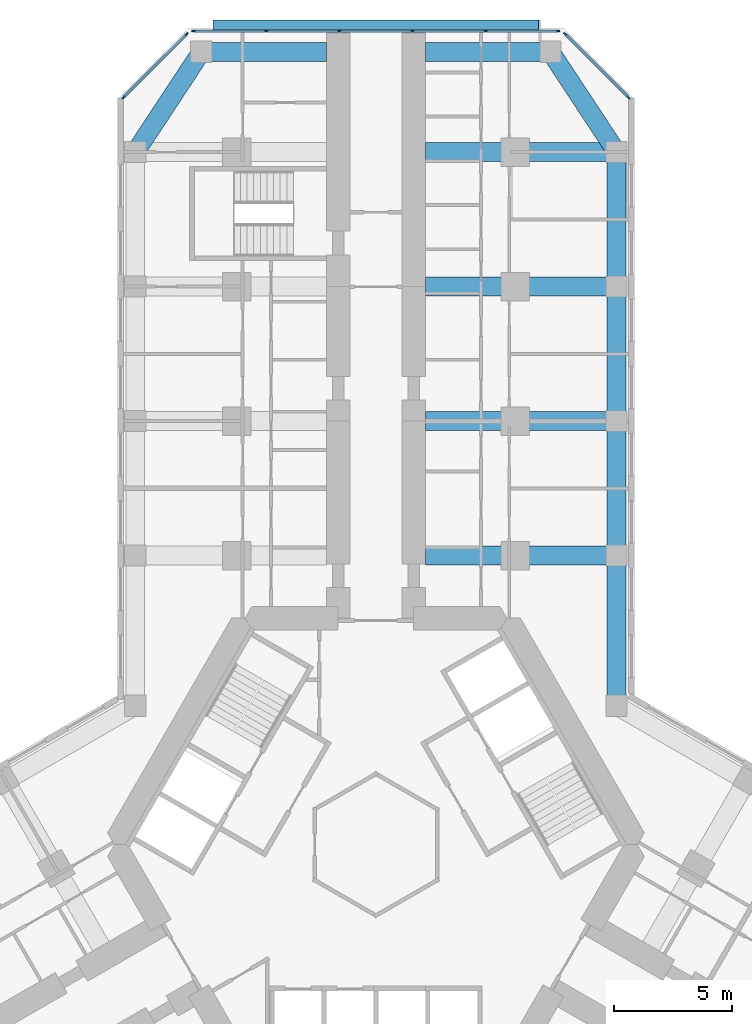
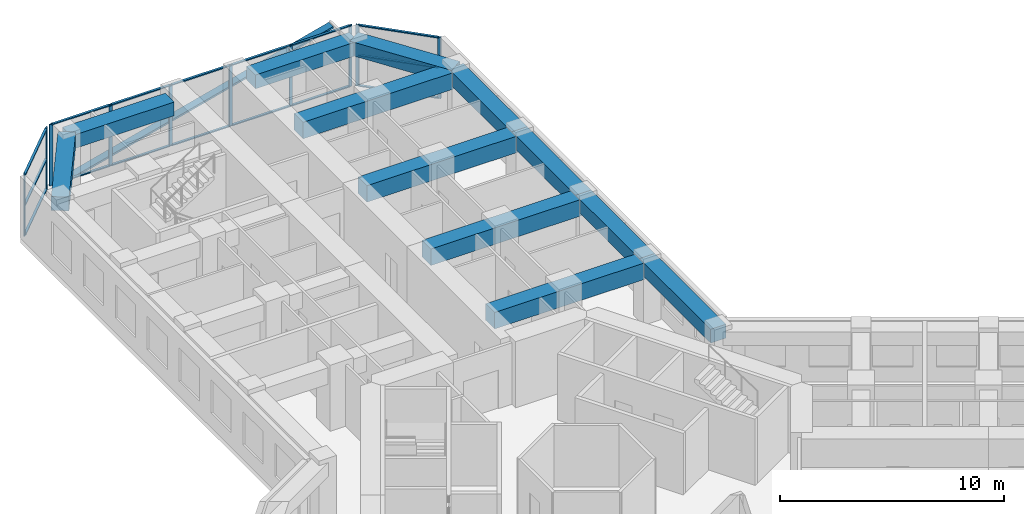
# One storey, part 7 of 22: 27 members, 12 beams, 3 elements without a shape of their own.
"""IFC4 building model written with IfcOpenShell, lengths in metres."""

from ifc_helpers import new_model, si_unit, direction, frame, origin, origin_2d, place, context, subcontext, project, spatial, rectangle, extrude, material, material_profile, profile_set, type_object, element, aggregate, save


model = new_model("IFC4")

# Units and contexts
model_context = context("Model", 3, precision=1e-05, world=origin(), true_north=direction((0.0, 1.0)))
body_context = subcontext(model_context, "Body", "Model", "MODEL_VIEW")
ifc_project = project(units=[si_unit("LENGTHUNIT", "METRE"), si_unit("AREAUNIT", "SQUARE_METRE"), si_unit("VOLUMEUNIT", "CUBIC_METRE"), si_unit("PLANEANGLEUNIT", "RADIAN"), si_unit("MASSUNIT", "GRAM", prefix="KILO")], contexts=[model_context])

# Site, building, storey
site_placement = place(None, origin())
site = spatial("IfcSite", under=ifc_project, at=site_placement, CompositionType="ELEMENT")
building_placement = place(site_placement, origin())
building = spatial("IfcBuilding", under=site, at=building_placement, Name="Kosmar Iwan School Tower", CompositionType="ELEMENT")
storey_placement = place(building_placement, frame((0.0, 0.0, 95.199951171875)))
storey = spatial("IfcBuildingStorey", under=building, at=storey_placement, Name="L23", CompositionType="ELEMENT", Elevation=95.199951171875)

# Member
ifc_material_1 = material(Name="Black anodised aluminium", Category="aluminium")
ifc_material_profile_1 = material_profile(ifc_material_1, rectangle(XDim=0.10009765625, YDim=0.39990234375, at=origin_2d()), Name="FIN 100x400")
ifc_profile_set_1 = profile_set([ifc_material_profile_1], Name="Black anodised aluminium")
member_type_1 = type_object("IfcMemberType", Name="Diagonal fin 100x400", PredefinedType="USERDEFINED", material=ifc_profile_set_1)
member_1_placement = place(storey_placement, frame((-6.898193359375, 34.75, -0.14990234375), z_axis=(0.967603633438, 0.0, 0.252474174041), x_axis=(-0.252474174041, 0.0, 0.967603633438)))
element("IfcMember", 1, at=member_1_placement, inside=storey, type_object=member_type_1, Name="Diagonal fin L23-F08", ObjectType="FIN", PredefinedType="USERDEFINED", context=body_context, shape_type="SweptSolid", body=[
    extrude(rectangle(XDim=0.10009765625, YDim=0.39990234375, at=origin_2d()), origin(), (0.0, 0.0, 1.0), 14.25830078125),
])

# Curtain wall, members
ifc_material_2 = material(Name="Dark glass in black aluminium frame", Category="aluminium")
curtain_wall_type_1 = type_object("IfcCurtainWallType", Name="Chamfer curtain wall dark glass", PredefinedType="USERDEFINED", material=ifc_material_2)
curtain_wall_1_placement = place(storey_placement, origin())
curtain_wall_1 = element("IfcCurtainWall", 2, at=curtain_wall_1_placement, inside=storey, type_object=curtain_wall_type_1, Name="Curtain wall L23-F07", ObjectType="FACETED CURTAIN WALL", PredefinedType="USERDEFINED")
ifc_material_3 = material(Name="Black anodised aluminium", Category="aluminium")
ifc_material_profile_2 = material_profile(ifc_material_3, rectangle(XDim=0.06005859375, YDim=0.159912109375, at=origin_2d()), Name="MULLION 60x160")
ifc_profile_set_2 = profile_set([ifc_material_profile_2], Name="Black anodised aluminium")
member_type_2 = type_object("IfcMemberType", Name="Mullion 60x160", PredefinedType="MULLION", material=ifc_profile_set_2)
member_2_placement = place(storey_placement, frame((10.69775390625, 31.675537109375, 0.0), z_axis=(0.0, 0.0, 1.0), x_axis=(-0.707106781187, -0.707106781187, 0.0)))
member_2 = element("IfcMember", 3, at=member_2_placement, type_object=member_type_2, Name="CW2 mullion 1", PredefinedType="MULLION", context=body_context, shape_type="SweptSolid", body=[
    extrude(rectangle(XDim=0.06005859375, YDim=0.159912109375, at=origin_2d()), origin(), (0.0, 0.0, 1.0), 3.35009765625),
])
member_3_placement = place(storey_placement, frame((8.025390625, 34.34765625, 0.0), z_axis=(0.0, 0.0, 1.0), x_axis=(-0.707106781187, -0.707106781187, 0.0)))
member_3 = element("IfcMember", 4, at=member_3_placement, type_object=member_type_2, Name="CW2 mullion 2", PredefinedType="MULLION", context=body_context, shape_type="SweptSolid", body=[
    extrude(rectangle(XDim=0.06005859375, YDim=0.159912109375, at=origin_2d()), origin(), (0.0, 0.0, 1.0), 3.35009765625),
])

ifc_material_4 = material(Name="Dark glass in black aluminium frame", Category="aluminium")
curtain_wall_type_2 = type_object("IfcCurtainWallType", Name="Tower curtain wall dark glass", PredefinedType="USERDEFINED", material=ifc_material_4)
curtain_wall_2_placement = place(storey_placement, origin())
curtain_wall_2 = element("IfcCurtainWall", 5, at=curtain_wall_2_placement, inside=storey, type_object=curtain_wall_type_2, Name="Curtain wall L23-F08", ObjectType="UNITISED CURTAIN WALL", PredefinedType="USERDEFINED")
member_4_placement = place(storey_placement, frame((7.71826171875, 34.47509765625, 0.0), z_axis=(0.0, 0.0, 1.0), x_axis=(0.0, -1.0, 0.0)))
member_4 = element("IfcMember", 6, at=member_4_placement, type_object=member_type_2, Name="CW1 mullion 1", PredefinedType="MULLION", context=body_context, shape_type="SweptSolid", body=[
    extrude(rectangle(XDim=0.06005859375, YDim=0.159912109375, at=origin_2d()), origin(), (0.0, 0.0, 1.0), 3.35009765625),
])
member_5_placement = place(storey_placement, frame((4.64892578125, 34.47509765625, 0.0), z_axis=(0.0, 0.0, 1.0), x_axis=(0.0, -1.0, 0.0)))
member_5 = element("IfcMember", 7, at=member_5_placement, type_object=member_type_2, Name="CW1 mullion 2", PredefinedType="MULLION", context=body_context, shape_type="SweptSolid", body=[
    extrude(rectangle(XDim=0.06005859375, YDim=0.159912109375, at=origin_2d()), origin(), (0.0, 0.0, 1.0), 3.35009765625),
])
member_6_placement = place(storey_placement, frame((1.549560546875, 34.47509765625, 0.0), z_axis=(0.0, 0.0, 1.0), x_axis=(0.0, -1.0, 0.0)))
member_6 = element("IfcMember", 8, at=member_6_placement, type_object=member_type_2, Name="CW1 mullion 3", PredefinedType="MULLION", context=body_context, shape_type="SweptSolid", body=[
    extrude(rectangle(XDim=0.06005859375, YDim=0.159912109375, at=origin_2d()), origin(), (0.0, 0.0, 1.0), 3.35009765625),
])
member_7_placement = place(storey_placement, frame((-1.549560546875, 34.47509765625, 0.0), z_axis=(0.0, 0.0, 1.0), x_axis=(0.0, -1.0, 0.0)))
member_7 = element("IfcMember", 9, at=member_7_placement, type_object=member_type_2, Name="CW1 mullion 4", PredefinedType="MULLION", context=body_context, shape_type="SweptSolid", body=[
    extrude(rectangle(XDim=0.06005859375, YDim=0.159912109375, at=origin_2d()), origin(), (0.0, 0.0, 1.0), 3.35009765625),
])
member_8_placement = place(storey_placement, frame((-4.64892578125, 34.47509765625, 0.0), z_axis=(0.0, 0.0, 1.0), x_axis=(0.0, -1.0, 0.0)))
member_8 = element("IfcMember", 10, at=member_8_placement, type_object=member_type_2, Name="CW1 mullion 5", PredefinedType="MULLION", context=body_context, shape_type="SweptSolid", body=[
    extrude(rectangle(XDim=0.06005859375, YDim=0.159912109375, at=origin_2d()), origin(), (0.0, 0.0, 1.0), 3.35009765625),
])
member_9_placement = place(storey_placement, frame((-7.71826171875, 34.47509765625, 0.0), z_axis=(0.0, 0.0, 1.0), x_axis=(0.0, -1.0, 0.0)))
member_9 = element("IfcMember", 11, at=member_9_placement, type_object=member_type_2, Name="CW1 mullion 6", PredefinedType="MULLION", context=body_context, shape_type="SweptSolid", body=[
    extrude(rectangle(XDim=0.06005859375, YDim=0.159912109375, at=origin_2d()), origin(), (0.0, 0.0, 1.0), 3.35009765625),
])

curtain_wall_3_placement = place(storey_placement, origin())
curtain_wall_3 = element("IfcCurtainWall", 12, at=curtain_wall_3_placement, inside=storey, type_object=curtain_wall_type_1, Name="Curtain wall L23-F09", ObjectType="FACETED CURTAIN WALL", PredefinedType="USERDEFINED")
member_10_placement = place(storey_placement, frame((-8.025390625, 34.34765625, 0.0), z_axis=(0.0, 0.0, 1.0), x_axis=(0.707106781187, -0.707106781187, 0.0)))
member_10 = element("IfcMember", 13, at=member_10_placement, type_object=member_type_2, Name="CW2 mullion 1", PredefinedType="MULLION", context=body_context, shape_type="SweptSolid", body=[
    extrude(rectangle(XDim=0.06005859375, YDim=0.159912109375, at=origin_2d()), origin(), (0.0, 0.0, 1.0), 3.35009765625),
])
member_11_placement = place(storey_placement, frame((-10.69775390625, 31.675537109375, 0.0), z_axis=(0.0, 0.0, 1.0), x_axis=(0.707106781187, -0.707106781187, 0.0)))
member_11 = element("IfcMember", 14, at=member_11_placement, type_object=member_type_2, Name="CW2 mullion 2", PredefinedType="MULLION", context=body_context, shape_type="SweptSolid", body=[
    extrude(rectangle(XDim=0.06005859375, YDim=0.159912109375, at=origin_2d()), origin(), (0.0, 0.0, 1.0), 3.35009765625),
])

# Beams
ifc_material_5 = material(Name="Concrete C50/60", Category="concrete")
ifc_material_profile_3 = material_profile(ifc_material_5, rectangle(XDim=0.800048828125, YDim=0.75, at=origin_2d()), Name="RC 800x750")
ifc_profile_set_3 = profile_set([ifc_material_profile_3], Name="Concrete C50/60")
beam_type_1 = type_object("IfcBeamType", Name="RC edge beam 800x750", PredefinedType="BEAM", material=ifc_profile_set_3)
beam_1_placement = place(storey_placement, frame((10.199951171875, 5.888916015625, 2.97509765625), z_axis=(0.0, 1.0, 0.0), x_axis=(-1.0, 0.0, 0.0)))
element("IfcBeam", 15, at=beam_1_placement, inside=storey, type_object=beam_type_1, Name="Edge beam AR1", PredefinedType="BEAM", context=body_context, shape_type="SweptSolid", body=[
    extrude(rectangle(XDim=0.800048828125, YDim=0.75, at=origin_2d()), origin(), (0.0, 0.0, 1.0), 6.361083984375),
])
for number, where, z_axis, x_axis, name in (
    (16, (10.199951171875, 12.25, 2.97509765625), (0.0, 1.0, 0.0), (-1.0, 0.0, 0.0), "Edge beam AR2"),
    (17, (10.199951171875, 17.949951171875, 2.97509765625), (0.0, 1.0, 0.0), (-1.0, 0.0, 0.0), "Edge beam AR3"),
):
    element("IfcBeam", number, at=place(storey_placement, frame(where, z_axis=z_axis, x_axis=x_axis)), inside=storey, type_object=beam_type_1, Name=name, PredefinedType="BEAM", context=body_context, shape_type="SweptSolid", body=[
        extrude(rectangle(XDim=0.800048828125, YDim=0.75, at=origin_2d()), origin(), (0.0, 0.0, 1.0), 5.699951171875),
    ])
beam_2_placement = place(storey_placement, frame((10.199951171875, 23.64990234375, 2.97509765625), z_axis=(0.0, 1.0, 0.0), x_axis=(-1.0, 0.0, 0.0)))
element("IfcBeam", 18, at=beam_2_placement, inside=storey, type_object=beam_type_1, Name="Edge beam AR4", PredefinedType="BEAM", context=body_context, shape_type="SweptSolid", body=[
    extrude(rectangle(XDim=0.800048828125, YDim=0.75, at=origin_2d()), origin(), (0.0, 0.0, 1.0), 5.7001953125),
])
ifc_material_6 = material(Name="Concrete C50/60", Category="concrete")
ifc_material_profile_4 = material_profile(ifc_material_6, rectangle(XDim=0.800048828125, YDim=0.75, at=origin_2d()), Name="RC 800x750")
ifc_profile_set_4 = profile_set([ifc_material_profile_4], Name="Concrete C50/60")
beam_type_2 = type_object("IfcBeamType", Name="RC tip beam 800x750", PredefinedType="BEAM", material=ifc_profile_set_4)
beam_3_placement = place(storey_placement, frame((-10.199951171875, 29.35009765625, 2.97509765625), z_axis=(0.550164383043, 0.835056376319, 0.0), x_axis=(-0.835056376319, 0.550164383043, 0.0)))
element("IfcBeam", 19, at=beam_3_placement, inside=storey, type_object=beam_type_2, Name="Tip beam AL", PredefinedType="BEAM", context=body_context, shape_type="SweptSolid", body=[
    extrude(rectangle(XDim=0.800048828125, YDim=0.75, at=origin_2d()), origin(), (0.0, 0.0, 1.0), 5.08935546875),
])
beam_4_placement = place(storey_placement, frame((-7.39990234375, 33.60009765625, 2.97509765625), z_axis=(1.0, 0.0, 0.0), x_axis=(0.0, 1.0, 0.0)))
element("IfcBeam", 20, at=beam_4_placement, inside=storey, type_object=beam_type_2, Name="Tip beam AL to corridor wall", PredefinedType="BEAM", context=body_context, shape_type="SweptSolid", body=[
    extrude(rectangle(XDim=0.800048828125, YDim=0.75, at=origin_2d()), origin(), (0.0, 0.0, 1.0), 5.2998046875),
])
beam_5_placement = place(storey_placement, frame((10.199951171875, 29.35009765625, 2.97509765625), z_axis=(-0.550164383043, 0.835056376319, 0.0), x_axis=(-0.835056376319, -0.550164383043, 0.0)))
element("IfcBeam", 21, at=beam_5_placement, inside=storey, type_object=beam_type_2, Name="Tip beam AR", PredefinedType="BEAM", context=body_context, shape_type="SweptSolid", body=[
    extrude(rectangle(XDim=0.800048828125, YDim=0.75, at=origin_2d()), origin(), (0.0, 0.0, 1.0), 5.08935546875),
])
beam_6_placement = place(storey_placement, frame((7.39990234375, 33.60009765625, 2.97509765625), z_axis=(-1.0, 0.0, 0.0), x_axis=(0.0, -1.0, 0.0)))
element("IfcBeam", 22, at=beam_6_placement, inside=storey, type_object=beam_type_2, Name="Tip beam AR to corridor wall", PredefinedType="BEAM", context=body_context, shape_type="SweptSolid", body=[
    extrude(rectangle(XDim=0.800048828125, YDim=0.75, at=origin_2d()), origin(), (0.0, 0.0, 1.0), 5.2998046875),
])
ifc_material_7 = material(Name="Concrete C50/60", Category="concrete")
ifc_material_profile_5 = material_profile(ifc_material_7, rectangle(XDim=0.800048828125, YDim=0.89990234375, at=origin_2d()), Name="RC 800x900")
ifc_profile_set_5 = profile_set([ifc_material_profile_5], Name="Concrete C50/60")
beam_type_3 = type_object("IfcBeamType", Name="RC transverse beam 800x900", PredefinedType="BEAM", material=ifc_profile_set_5)
for number, where, z_axis, x_axis, name in (
    (23, (10.199951171875, 12.25, 2.900146484375), (-1.0, 0.0, 0.0), (0.0, -1.0, 0.0), "Transverse beam AR1"),
    (24, (10.199951171875, 17.949951171875, 2.900146484375), (-1.0, 0.0, 0.0), (0.0, -1.0, 0.0), "Transverse beam AR2"),
    (25, (10.199951171875, 23.64990234375, 2.900146484375), (-1.0, 0.0, 0.0), (0.0, -1.0, 0.0), "Transverse beam AR3"),
    (26, (10.199951171875, 29.35009765625, 2.900146484375), (-1.0, 0.0, 0.0), (0.0, -1.0, 0.0), "Transverse beam AR4"),
):
    element("IfcBeam", number, at=place(storey_placement, frame(where, z_axis=z_axis, x_axis=x_axis)), inside=storey, type_object=beam_type_3, Name=name, PredefinedType="BEAM", context=body_context, shape_type="SweptSolid", body=[
        extrude(rectangle(XDim=0.800048828125, YDim=0.89990234375, at=origin_2d()), origin(), (0.0, 0.0, 1.0), 8.099853515625),
    ])

# Member
ifc_material_8 = material(Name="Black anodised aluminium", Category="aluminium")
ifc_material_profile_6 = material_profile(ifc_material_8, rectangle(XDim=0.1201171875, YDim=0.06005859375, at=origin_2d()), Name="TRANSOM 60x120")
ifc_profile_set_6 = profile_set([ifc_material_profile_6], Name="Black anodised aluminium")
member_type_3 = type_object("IfcMemberType", Name="Transom 60x120", PredefinedType="USERDEFINED", material=ifc_profile_set_6)
member_12_placement = place(storey_placement, frame((10.676513671875, 31.69677734375, 0.030029296875), z_axis=(-0.707139603466, 0.707073957383, 0.0), x_axis=(-0.707073957383, -0.707139603466, 0.0)))
member_12 = element("IfcMember", 27, at=member_12_placement, type_object=member_type_3, Name="CW2 transom 1.1", ObjectType="TRANSOM", PredefinedType="USERDEFINED", context=body_context, shape_type="SweptSolid", body=[
    extrude(rectangle(XDim=0.1201171875, YDim=0.06005859375, at=origin_2d()), origin(), (0.0, 0.0, 1.0), 3.718994140625),
])

member_13_placement = place(storey_placement, frame((10.676513671875, 31.69677734375, 1.675048828125), z_axis=(-0.707139603466, 0.707073957383, 0.0), x_axis=(-0.707073957383, -0.707139603466, 0.0)))
member_13 = element("IfcMember", 28, at=member_13_placement, type_object=member_type_3, Name="CW2 transom 1.2", ObjectType="TRANSOM", PredefinedType="USERDEFINED", context=body_context, shape_type="SweptSolid", body=[
    extrude(rectangle(XDim=0.1201171875, YDim=0.06005859375, at=origin_2d()), origin(), (0.0, 0.0, 1.0), 3.718994140625),
])

member_14_placement = place(storey_placement, frame((10.676513671875, 31.69677734375, 3.320068359375), z_axis=(-0.707139603466, 0.707073957383, 0.0), x_axis=(-0.707073957383, -0.707139603466, 0.0)))
member_14 = element("IfcMember", 29, at=member_14_placement, type_object=member_type_3, Name="CW2 transom 1.3", ObjectType="TRANSOM", PredefinedType="USERDEFINED", context=body_context, shape_type="SweptSolid", body=[
    extrude(rectangle(XDim=0.1201171875, YDim=0.06005859375, at=origin_2d()), origin(), (0.0, 0.0, 1.0), 3.718994140625),
])

aggregate(curtain_wall_1, [member_2, member_3, member_12, member_13, member_14])

member_15_placement = place(storey_placement, frame((7.688232421875, 34.47509765625, 0.030029296875), z_axis=(-1.0, 0.0, 0.0), x_axis=(0.0, -1.0, 0.0)))
member_15 = element("IfcMember", 30, at=member_15_placement, type_object=member_type_3, Name="CW1 transom 1.1", ObjectType="TRANSOM", PredefinedType="USERDEFINED", context=body_context, shape_type="SweptSolid", body=[
    extrude(rectangle(XDim=0.1201171875, YDim=0.06005859375, at=origin_2d()), origin(), (0.0, 0.0, 1.0), 3.00927734375),
])

member_16_placement = place(storey_placement, frame((7.688232421875, 34.47509765625, 3.320068359375), z_axis=(-1.0, 0.0, 0.0), x_axis=(0.0, -1.0, 0.0)))
member_16 = element("IfcMember", 31, at=member_16_placement, type_object=member_type_3, Name="CW1 transom 1.2", ObjectType="TRANSOM", PredefinedType="USERDEFINED", context=body_context, shape_type="SweptSolid", body=[
    extrude(rectangle(XDim=0.1201171875, YDim=0.06005859375, at=origin_2d()), origin(), (0.0, 0.0, 1.0), 3.00927734375),
])

member_17_placement = place(storey_placement, frame((4.618896484375, 34.47509765625, 0.030029296875), z_axis=(-1.0, 0.0, 0.0), x_axis=(0.0, -1.0, 0.0)))
member_17 = element("IfcMember", 32, at=member_17_placement, type_object=member_type_3, Name="CW1 transom 2.1", ObjectType="TRANSOM", PredefinedType="USERDEFINED", context=body_context, shape_type="SweptSolid", body=[
    extrude(rectangle(XDim=0.1201171875, YDim=0.06005859375, at=origin_2d()), origin(), (0.0, 0.0, 1.0), 3.039306640625),
])

member_18_placement = place(storey_placement, frame((4.618896484375, 34.47509765625, 3.320068359375), z_axis=(-1.0, 0.0, 0.0), x_axis=(0.0, -1.0, 0.0)))
member_18 = element("IfcMember", 33, at=member_18_placement, type_object=member_type_3, Name="CW1 transom 2.2", ObjectType="TRANSOM", PredefinedType="USERDEFINED", context=body_context, shape_type="SweptSolid", body=[
    extrude(rectangle(XDim=0.1201171875, YDim=0.06005859375, at=origin_2d()), origin(), (0.0, 0.0, 1.0), 3.039306640625),
])

member_19_placement = place(storey_placement, frame((1.51953125, 34.47509765625, 0.030029296875), z_axis=(-1.0, 0.0, 0.0), x_axis=(0.0, -1.0, 0.0)))
member_19 = element("IfcMember", 34, at=member_19_placement, type_object=member_type_3, Name="CW1 transom 3.1", ObjectType="TRANSOM", PredefinedType="USERDEFINED", context=body_context, shape_type="SweptSolid", body=[
    extrude(rectangle(XDim=0.1201171875, YDim=0.06005859375, at=origin_2d()), origin(), (0.0, 0.0, 1.0), 3.0390625),
])

member_20_placement = place(storey_placement, frame((1.51953125, 34.47509765625, 3.320068359375), z_axis=(-1.0, 0.0, 0.0), x_axis=(0.0, -1.0, 0.0)))
member_20 = element("IfcMember", 35, at=member_20_placement, type_object=member_type_3, Name="CW1 transom 3.2", ObjectType="TRANSOM", PredefinedType="USERDEFINED", context=body_context, shape_type="SweptSolid", body=[
    extrude(rectangle(XDim=0.1201171875, YDim=0.06005859375, at=origin_2d()), origin(), (0.0, 0.0, 1.0), 3.0390625),
])

member_21_placement = place(storey_placement, frame((-1.57958984375, 34.47509765625, 0.030029296875), z_axis=(-1.0, 0.0, 0.0), x_axis=(0.0, -1.0, 0.0)))
member_21 = element("IfcMember", 36, at=member_21_placement, type_object=member_type_3, Name="CW1 transom 4.1", ObjectType="TRANSOM", PredefinedType="USERDEFINED", context=body_context, shape_type="SweptSolid", body=[
    extrude(rectangle(XDim=0.1201171875, YDim=0.06005859375, at=origin_2d()), origin(), (0.0, 0.0, 1.0), 3.039306640625),
])

member_22_placement = place(storey_placement, frame((-1.57958984375, 34.47509765625, 3.320068359375), z_axis=(-1.0, 0.0, 0.0), x_axis=(0.0, -1.0, 0.0)))
member_22 = element("IfcMember", 37, at=member_22_placement, type_object=member_type_3, Name="CW1 transom 4.2", ObjectType="TRANSOM", PredefinedType="USERDEFINED", context=body_context, shape_type="SweptSolid", body=[
    extrude(rectangle(XDim=0.1201171875, YDim=0.06005859375, at=origin_2d()), origin(), (0.0, 0.0, 1.0), 3.039306640625),
])

member_23_placement = place(storey_placement, frame((-4.678955078125, 34.47509765625, 0.030029296875), z_axis=(-1.0, 0.0, 0.0), x_axis=(0.0, -1.0, 0.0)))
member_23 = element("IfcMember", 38, at=member_23_placement, type_object=member_type_3, Name="CW1 transom 5.1", ObjectType="TRANSOM", PredefinedType="USERDEFINED", context=body_context, shape_type="SweptSolid", body=[
    extrude(rectangle(XDim=0.1201171875, YDim=0.06005859375, at=origin_2d()), origin(), (0.0, 0.0, 1.0), 3.00927734375),
])

member_24_placement = place(storey_placement, frame((-4.678955078125, 34.47509765625, 3.320068359375), z_axis=(-1.0, 0.0, 0.0), x_axis=(0.0, -1.0, 0.0)))
member_24 = element("IfcMember", 39, at=member_24_placement, type_object=member_type_3, Name="CW1 transom 5.2", ObjectType="TRANSOM", PredefinedType="USERDEFINED", context=body_context, shape_type="SweptSolid", body=[
    extrude(rectangle(XDim=0.1201171875, YDim=0.06005859375, at=origin_2d()), origin(), (0.0, 0.0, 1.0), 3.00927734375),
])

aggregate(curtain_wall_2, [member_4, member_5, member_6, member_7, member_8, member_9, member_15, member_16, member_17, member_18, member_19, member_20, member_21, member_22, member_23, member_24])

member_25_placement = place(storey_placement, frame((-8.046630859375, 34.326416015625, 0.030029296875), z_axis=(-0.707139603466, -0.707073957383, 0.0), x_axis=(0.707073957383, -0.707139603466, 0.0)))
member_25 = element("IfcMember", 40, at=member_25_placement, type_object=member_type_3, Name="CW2 transom 1.1", ObjectType="TRANSOM", PredefinedType="USERDEFINED", context=body_context, shape_type="SweptSolid", body=[
    extrude(rectangle(XDim=0.1201171875, YDim=0.06005859375, at=origin_2d()), origin(), (0.0, 0.0, 1.0), 3.718994140625),
])

member_26_placement = place(storey_placement, frame((-8.046630859375, 34.326416015625, 1.675048828125), z_axis=(-0.707139603466, -0.707073957383, 0.0), x_axis=(0.707073957383, -0.707139603466, 0.0)))
member_26 = element("IfcMember", 41, at=member_26_placement, type_object=member_type_3, Name="CW2 transom 1.2", ObjectType="TRANSOM", PredefinedType="USERDEFINED", context=body_context, shape_type="SweptSolid", body=[
    extrude(rectangle(XDim=0.1201171875, YDim=0.06005859375, at=origin_2d()), origin(), (0.0, 0.0, 1.0), 3.718994140625),
])

member_27_placement = place(storey_placement, frame((-8.046630859375, 34.326416015625, 3.320068359375), z_axis=(-0.707139603466, -0.707073957383, 0.0), x_axis=(0.707073957383, -0.707139603466, 0.0)))
member_27 = element("IfcMember", 42, at=member_27_placement, type_object=member_type_3, Name="CW2 transom 1.3", ObjectType="TRANSOM", PredefinedType="USERDEFINED", context=body_context, shape_type="SweptSolid", body=[
    extrude(rectangle(XDim=0.1201171875, YDim=0.06005859375, at=origin_2d()), origin(), (0.0, 0.0, 1.0), 3.718994140625),
])

aggregate(curtain_wall_3, [member_10, member_11, member_25, member_26, member_27])

save(model, "model.ifc")
